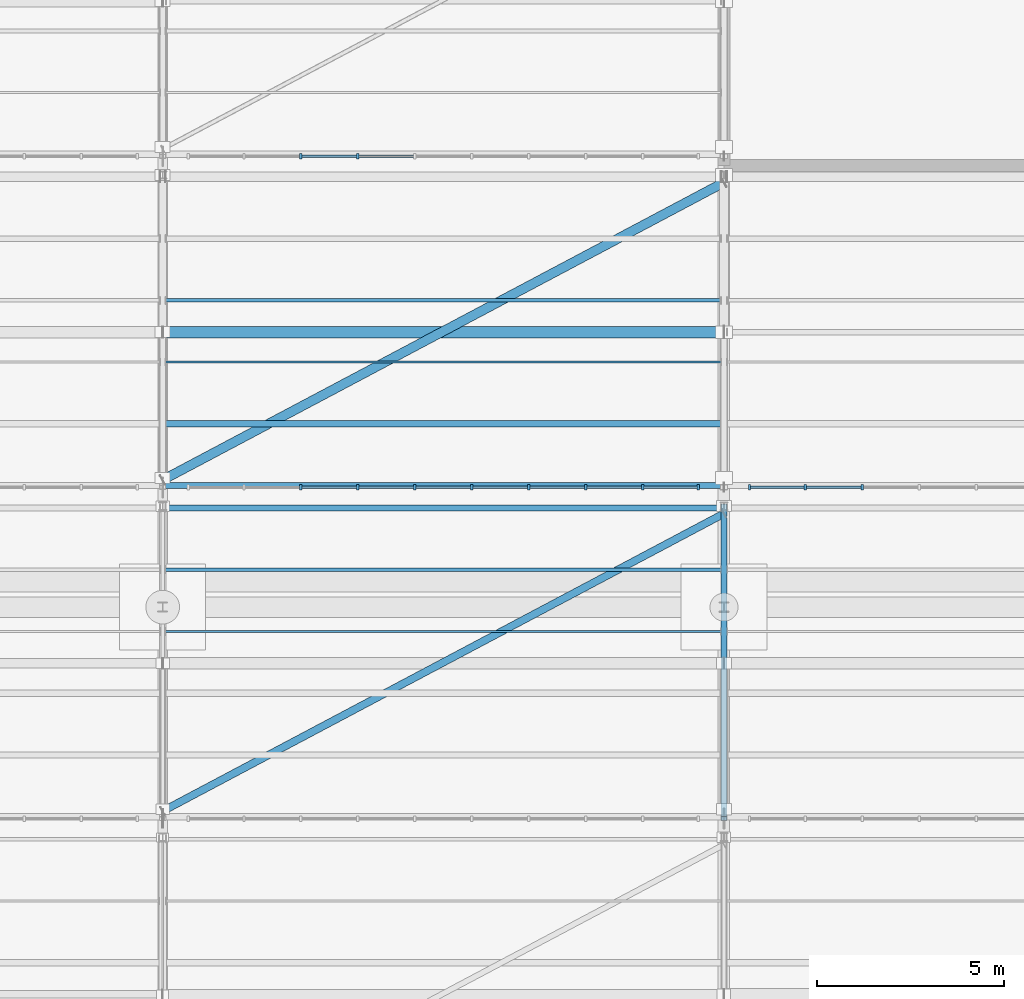
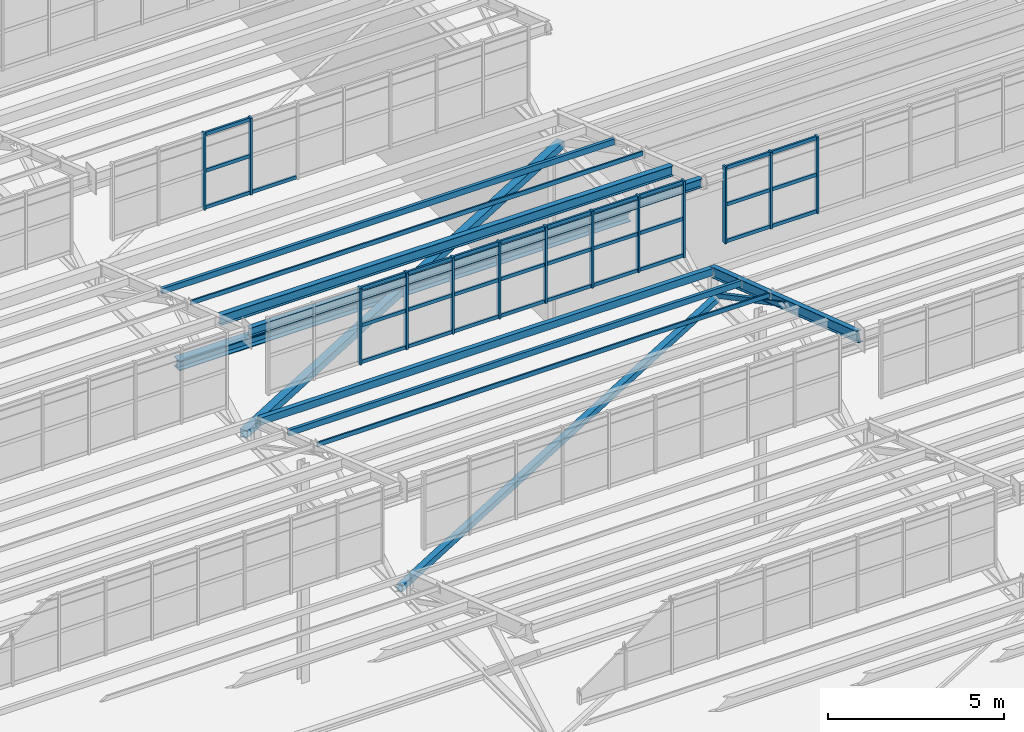
# One storey, part 74 of 285: 48 members, 8 beams, 3 elements without a shape of their own.
"""IFC4 building model written with IfcOpenShell, lengths in metres."""

from ifc_helpers import new_model, si_unit, direction, frame, origin, origin_2d, place, context, subcontext, project, spatial, rectangle, hollow_rectangle, i_section, extrude, material, material_profile, profile_set, type_object, element, aggregate, save


model = new_model("IFC4")

# Units and contexts
model_context = context("Model", 3, precision=1e-05, world=origin(), true_north=direction((0.0, 1.0)))
body_context = subcontext(model_context, "Body", "Model", "MODEL_VIEW")
ifc_project = project(units=[si_unit("LENGTHUNIT", "METRE"), si_unit("AREAUNIT", "SQUARE_METRE"), si_unit("VOLUMEUNIT", "CUBIC_METRE"), si_unit("PLANEANGLEUNIT", "RADIAN"), si_unit("MASSUNIT", "GRAM", prefix="KILO")], contexts=[model_context])

# Site, building, storey
site_placement = place(None, origin())
site = spatial("IfcSite", under=ifc_project, at=site_placement, CompositionType="ELEMENT")
building_placement = place(site_placement, origin())
building = spatial("IfcBuilding", under=site, at=building_placement, Name="Solanera Park Tramway Depot", CompositionType="ELEMENT")
storey_placement = place(building_placement, origin())
storey = spatial("IfcBuildingStorey", under=building, at=storey_placement, Name="L00", CompositionType="ELEMENT", Elevation=0.0)

# Curtain wall, members
ifc_material_1 = material(Name="Bronze-anodised thermally broken aluminium curtain wall", Category="aluminium")
curtain_wall_type = type_object("IfcCurtainWallType", Name="Sawtooth Clerestory Monitor Curtain Wall", PredefinedType="NOTDEFINED", material=ifc_material_1)
curtain_wall_1_placement = place(storey_placement, origin())
curtain_wall_1 = element("IfcCurtainWall", 1, at=curtain_wall_1_placement, inside=storey, type_object=curtain_wall_type, Name="L00 Sawtooth Clerestory Monitor Curtain Wall #054", PredefinedType="NOTDEFINED")
ifc_material_2 = material(Name="Bronze-anodised structural aluminium 6063-T6", Category="aluminium")
ifc_material_profile_1 = material_profile(ifc_material_2, rectangle(XDim=0.06494140625, YDim=0.14990234375, at=origin_2d()), Name="Curtain Wall Mullion 65x150")
ifc_profile_set_1 = profile_set([ifc_material_profile_1], Name="Bronze-anodised structural aluminium 6063-T6")
member_type_1 = type_object("IfcMemberType", Name="Curtain Wall Mullion 65x150", PredefinedType="MULLION", material=ifc_profile_set_1)
member_1_placement = place(storey_placement, frame((48.6943359375, 117.699951171875, 7.75), z_axis=(0.0, 0.0, 1.0), x_axis=(1.0, 0.0, 0.0)))
member_1 = element("IfcMember", 2, at=member_1_placement, type_object=member_type_1, Name="CW-L00-054 Mullion 3", PredefinedType="MULLION", context=body_context, shape_type="SweptSolid", body=[
    extrude(rectangle(XDim=0.06494140625, YDim=0.14990234375, at=origin_2d()), origin(), (0.0, 0.0, 1.0), 2.6611328125),
])
member_2_placement = place(storey_placement, frame((50.216796875, 117.699951171875, 7.75), z_axis=(0.0, 0.0, 1.0), x_axis=(1.0, 0.0, 0.0)))
member_2 = element("IfcMember", 3, at=member_2_placement, type_object=member_type_1, Name="CW-L00-054 Mullion 4", PredefinedType="MULLION", context=body_context, shape_type="SweptSolid", body=[
    extrude(rectangle(XDim=0.06494140625, YDim=0.14990234375, at=origin_2d()), origin(), (0.0, 0.0, 1.0), 2.6611328125),
])
member_3_placement = place(storey_placement, frame((51.739013671875, 117.699951171875, 7.75), z_axis=(0.0, 0.0, 1.0), x_axis=(1.0, 0.0, 0.0)))
member_3 = element("IfcMember", 4, at=member_3_placement, type_object=member_type_1, Name="CW-L00-054 Mullion 5", PredefinedType="MULLION", context=body_context, shape_type="SweptSolid", body=[
    extrude(rectangle(XDim=0.06494140625, YDim=0.14990234375, at=origin_2d()), origin(), (0.0, 0.0, 1.0), 2.6611328125),
])
member_4_placement = place(storey_placement, frame((53.260986328125, 117.699951171875, 7.75), z_axis=(0.0, 0.0, 1.0), x_axis=(1.0, 0.0, 0.0)))
member_4 = element("IfcMember", 5, at=member_4_placement, type_object=member_type_1, Name="CW-L00-054 Mullion 6", PredefinedType="MULLION", context=body_context, shape_type="SweptSolid", body=[
    extrude(rectangle(XDim=0.06494140625, YDim=0.14990234375, at=origin_2d()), origin(), (0.0, 0.0, 1.0), 2.6611328125),
])
member_5_placement = place(storey_placement, frame((54.783203125, 117.699951171875, 7.75), z_axis=(0.0, 0.0, 1.0), x_axis=(1.0, 0.0, 0.0)))
member_5 = element("IfcMember", 6, at=member_5_placement, type_object=member_type_1, Name="CW-L00-054 Mullion 7", PredefinedType="MULLION", context=body_context, shape_type="SweptSolid", body=[
    extrude(rectangle(XDim=0.06494140625, YDim=0.14990234375, at=origin_2d()), origin(), (0.0, 0.0, 1.0), 2.6611328125),
])
member_6_placement = place(storey_placement, frame((56.3056640625, 117.699951171875, 7.75), z_axis=(0.0, 0.0, 1.0), x_axis=(1.0, 0.0, 0.0)))
member_6 = element("IfcMember", 7, at=member_6_placement, type_object=member_type_1, Name="CW-L00-054 Mullion 8", PredefinedType="MULLION", context=body_context, shape_type="SweptSolid", body=[
    extrude(rectangle(XDim=0.06494140625, YDim=0.14990234375, at=origin_2d()), origin(), (0.0, 0.0, 1.0), 2.6611328125),
])
member_7_placement = place(storey_placement, frame((57.827880859375, 117.699951171875, 7.75), z_axis=(0.0, 0.0, 1.0), x_axis=(1.0, 0.0, 0.0)))
member_7 = element("IfcMember", 8, at=member_7_placement, type_object=member_type_1, Name="CW-L00-054 Mullion 9", PredefinedType="MULLION", context=body_context, shape_type="SweptSolid", body=[
    extrude(rectangle(XDim=0.06494140625, YDim=0.14990234375, at=origin_2d()), origin(), (0.0, 0.0, 1.0), 2.6611328125),
])
member_8_placement = place(storey_placement, frame((59.3173828125, 117.699951171875, 7.75), z_axis=(0.0, 0.0, 1.0), x_axis=(1.0, 0.0, 0.0)))
member_8 = element("IfcMember", 9, at=member_8_placement, type_object=member_type_1, Name="CW-L00-054 Mullion 10", PredefinedType="MULLION", context=body_context, shape_type="SweptSolid", body=[
    extrude(rectangle(XDim=0.06494140625, YDim=0.14990234375, at=origin_2d()), origin(), (0.0, 0.0, 1.0), 2.6611328125),
])

curtain_wall_2_placement = place(storey_placement, origin())
curtain_wall_2 = element("IfcCurtainWall", 10, at=curtain_wall_2_placement, inside=storey, type_object=curtain_wall_type, Name="L00 Sawtooth Clerestory Monitor Curtain Wall #055", PredefinedType="NOTDEFINED")
member_9_placement = place(storey_placement, frame((60.6826171875, 117.699951171875, 7.75), z_axis=(0.0, 0.0, 1.0), x_axis=(1.0, 0.0, 0.0)))
member_9 = element("IfcMember", 11, at=member_9_placement, type_object=member_type_1, Name="CW-L00-055 Mullion 1", PredefinedType="MULLION", context=body_context, shape_type="SweptSolid", body=[
    extrude(rectangle(XDim=0.06494140625, YDim=0.14990234375, at=origin_2d()), origin(), (0.0, 0.0, 1.0), 2.6611328125),
])
member_10_placement = place(storey_placement, frame((62.172119140625, 117.699951171875, 7.75), z_axis=(0.0, 0.0, 1.0), x_axis=(1.0, 0.0, 0.0)))
member_10 = element("IfcMember", 12, at=member_10_placement, type_object=member_type_1, Name="CW-L00-055 Mullion 2", PredefinedType="MULLION", context=body_context, shape_type="SweptSolid", body=[
    extrude(rectangle(XDim=0.06494140625, YDim=0.14990234375, at=origin_2d()), origin(), (0.0, 0.0, 1.0), 2.6611328125),
])
member_11_placement = place(storey_placement, frame((63.6943359375, 117.699951171875, 7.75), z_axis=(0.0, 0.0, 1.0), x_axis=(1.0, 0.0, 0.0)))
member_11 = element("IfcMember", 13, at=member_11_placement, type_object=member_type_1, Name="CW-L00-055 Mullion 3", PredefinedType="MULLION", context=body_context, shape_type="SweptSolid", body=[
    extrude(rectangle(XDim=0.06494140625, YDim=0.14990234375, at=origin_2d()), origin(), (0.0, 0.0, 1.0), 2.6611328125),
])

curtain_wall_3_placement = place(storey_placement, origin())
curtain_wall_3 = element("IfcCurtainWall", 14, at=curtain_wall_3_placement, inside=storey, type_object=curtain_wall_type, Name="L00 Sawtooth Clerestory Monitor Curtain Wall #062", PredefinedType="NOTDEFINED")
member_12_placement = place(storey_placement, frame((48.6943359375, 126.550048828125, 7.75), z_axis=(0.0, 0.0, 1.0), x_axis=(1.0, 0.0, 0.0)))
member_12 = element("IfcMember", 15, at=member_12_placement, type_object=member_type_1, Name="CW-L00-062 Mullion 3", PredefinedType="MULLION", context=body_context, shape_type="SweptSolid", body=[
    extrude(rectangle(XDim=0.06494140625, YDim=0.14990234375, at=origin_2d()), origin(), (0.0, 0.0, 1.0), 2.6611328125),
])
member_13_placement = place(storey_placement, frame((50.216796875, 126.550048828125, 7.75), z_axis=(0.0, 0.0, 1.0), x_axis=(1.0, 0.0, 0.0)))
member_13 = element("IfcMember", 16, at=member_13_placement, type_object=member_type_1, Name="CW-L00-062 Mullion 4", PredefinedType="MULLION", context=body_context, shape_type="SweptSolid", body=[
    extrude(rectangle(XDim=0.06494140625, YDim=0.14990234375, at=origin_2d()), origin(), (0.0, 0.0, 1.0), 2.6611328125),
])

# Member
ifc_material_3 = material(Name="Bronze-anodised structural aluminium 6063-T6", Category="aluminium")
ifc_material_profile_2 = material_profile(ifc_material_3, rectangle(XDim=0.06494140625, YDim=0.1201171875, at=origin_2d()), Name="Curtain Wall Transom 65x120")
ifc_profile_set_2 = profile_set([ifc_material_profile_2], Name="Bronze-anodised structural aluminium 6063-T6")
member_type_2 = type_object("IfcMemberType", Name="Curtain Wall Transom 65x120", PredefinedType="USERDEFINED", material=ifc_profile_set_2)
member_14_placement = place(storey_placement, frame((48.722412109375, 117.699951171875, 7.81005859375), z_axis=(1.0, 0.0, 0.0), x_axis=(0.0, 1.0, 0.0)))
member_14 = element("IfcMember", 17, at=member_14_placement, type_object=member_type_2, Name="CW-L00-054 Transom R1.C3", ObjectType="TRANSOM", PredefinedType="USERDEFINED", context=body_context, shape_type="SweptSolid", body=[
    extrude(rectangle(XDim=0.06494140625, YDim=0.1201171875, at=origin_2d()), origin(), (0.0, 0.0, 1.0), 1.46630859375),
])

member_15_placement = place(storey_placement, frame((50.24462890625, 117.699951171875, 7.81005859375), z_axis=(1.0, 0.0, 0.0), x_axis=(0.0, 1.0, 0.0)))
member_15 = element("IfcMember", 18, at=member_15_placement, type_object=member_type_2, Name="CW-L00-054 Transom R1.C4", ObjectType="TRANSOM", PredefinedType="USERDEFINED", context=body_context, shape_type="SweptSolid", body=[
    extrude(rectangle(XDim=0.06494140625, YDim=0.1201171875, at=origin_2d()), origin(), (0.0, 0.0, 1.0), 1.46630859375),
])

member_16_placement = place(storey_placement, frame((51.766845703125, 117.699951171875, 7.81005859375), z_axis=(1.0, 0.0, 0.0), x_axis=(0.0, 1.0, 0.0)))
member_16 = element("IfcMember", 19, at=member_16_placement, type_object=member_type_2, Name="CW-L00-054 Transom R1.C5", ObjectType="TRANSOM", PredefinedType="USERDEFINED", context=body_context, shape_type="SweptSolid", body=[
    extrude(rectangle(XDim=0.06494140625, YDim=0.1201171875, at=origin_2d()), origin(), (0.0, 0.0, 1.0), 1.46630859375),
])

member_17_placement = place(storey_placement, frame((53.2890625, 117.699951171875, 7.81005859375), z_axis=(1.0, 0.0, 0.0), x_axis=(0.0, 1.0, 0.0)))
member_17 = element("IfcMember", 20, at=member_17_placement, type_object=member_type_2, Name="CW-L00-054 Transom R1.C6", ObjectType="TRANSOM", PredefinedType="USERDEFINED", context=body_context, shape_type="SweptSolid", body=[
    extrude(rectangle(XDim=0.06494140625, YDim=0.1201171875, at=origin_2d()), origin(), (0.0, 0.0, 1.0), 1.46630859375),
])

member_18_placement = place(storey_placement, frame((54.811279296875, 117.699951171875, 7.81005859375), z_axis=(1.0, 0.0, 0.0), x_axis=(0.0, 1.0, 0.0)))
member_18 = element("IfcMember", 21, at=member_18_placement, type_object=member_type_2, Name="CW-L00-054 Transom R1.C7", ObjectType="TRANSOM", PredefinedType="USERDEFINED", context=body_context, shape_type="SweptSolid", body=[
    extrude(rectangle(XDim=0.06494140625, YDim=0.1201171875, at=origin_2d()), origin(), (0.0, 0.0, 1.0), 1.46630859375),
])

member_19_placement = place(storey_placement, frame((56.33349609375, 117.699951171875, 7.81005859375), z_axis=(1.0, 0.0, 0.0), x_axis=(0.0, 1.0, 0.0)))
member_19 = element("IfcMember", 22, at=member_19_placement, type_object=member_type_2, Name="CW-L00-054 Transom R1.C8", ObjectType="TRANSOM", PredefinedType="USERDEFINED", context=body_context, shape_type="SweptSolid", body=[
    extrude(rectangle(XDim=0.06494140625, YDim=0.1201171875, at=origin_2d()), origin(), (0.0, 0.0, 1.0), 1.46630859375),
])

member_20_placement = place(storey_placement, frame((57.855712890625, 117.699951171875, 7.81005859375), z_axis=(1.0, 0.0, 0.0), x_axis=(0.0, 1.0, 0.0)))
member_20 = element("IfcMember", 23, at=member_20_placement, type_object=member_type_2, Name="CW-L00-054 Transom R1.C9", ObjectType="TRANSOM", PredefinedType="USERDEFINED", context=body_context, shape_type="SweptSolid", body=[
    extrude(rectangle(XDim=0.06494140625, YDim=0.1201171875, at=origin_2d()), origin(), (0.0, 0.0, 1.0), 1.433837890625),
])

member_21_placement = place(storey_placement, frame((48.722412109375, 117.699951171875, 9.08056640625), z_axis=(1.0, 0.0, 0.0), x_axis=(0.0, 1.0, 0.0)))
member_21 = element("IfcMember", 24, at=member_21_placement, type_object=member_type_2, Name="CW-L00-054 Transom R2.C3", ObjectType="TRANSOM", PredefinedType="USERDEFINED", context=body_context, shape_type="SweptSolid", body=[
    extrude(rectangle(XDim=0.06494140625, YDim=0.1201171875, at=origin_2d()), origin(), (0.0, 0.0, 1.0), 1.46630859375),
])

member_22_placement = place(storey_placement, frame((50.24462890625, 117.699951171875, 9.08056640625), z_axis=(1.0, 0.0, 0.0), x_axis=(0.0, 1.0, 0.0)))
member_22 = element("IfcMember", 25, at=member_22_placement, type_object=member_type_2, Name="CW-L00-054 Transom R2.C4", ObjectType="TRANSOM", PredefinedType="USERDEFINED", context=body_context, shape_type="SweptSolid", body=[
    extrude(rectangle(XDim=0.06494140625, YDim=0.1201171875, at=origin_2d()), origin(), (0.0, 0.0, 1.0), 1.46630859375),
])

member_23_placement = place(storey_placement, frame((51.766845703125, 117.699951171875, 9.08056640625), z_axis=(1.0, 0.0, 0.0), x_axis=(0.0, 1.0, 0.0)))
member_23 = element("IfcMember", 26, at=member_23_placement, type_object=member_type_2, Name="CW-L00-054 Transom R2.C5", ObjectType="TRANSOM", PredefinedType="USERDEFINED", context=body_context, shape_type="SweptSolid", body=[
    extrude(rectangle(XDim=0.06494140625, YDim=0.1201171875, at=origin_2d()), origin(), (0.0, 0.0, 1.0), 1.46630859375),
])

member_24_placement = place(storey_placement, frame((53.2890625, 117.699951171875, 9.08056640625), z_axis=(1.0, 0.0, 0.0), x_axis=(0.0, 1.0, 0.0)))
member_24 = element("IfcMember", 27, at=member_24_placement, type_object=member_type_2, Name="CW-L00-054 Transom R2.C6", ObjectType="TRANSOM", PredefinedType="USERDEFINED", context=body_context, shape_type="SweptSolid", body=[
    extrude(rectangle(XDim=0.06494140625, YDim=0.1201171875, at=origin_2d()), origin(), (0.0, 0.0, 1.0), 1.46630859375),
])

member_25_placement = place(storey_placement, frame((54.811279296875, 117.699951171875, 9.08056640625), z_axis=(1.0, 0.0, 0.0), x_axis=(0.0, 1.0, 0.0)))
member_25 = element("IfcMember", 28, at=member_25_placement, type_object=member_type_2, Name="CW-L00-054 Transom R2.C7", ObjectType="TRANSOM", PredefinedType="USERDEFINED", context=body_context, shape_type="SweptSolid", body=[
    extrude(rectangle(XDim=0.06494140625, YDim=0.1201171875, at=origin_2d()), origin(), (0.0, 0.0, 1.0), 1.46630859375),
])

member_26_placement = place(storey_placement, frame((56.33349609375, 117.699951171875, 9.08056640625), z_axis=(1.0, 0.0, 0.0), x_axis=(0.0, 1.0, 0.0)))
member_26 = element("IfcMember", 29, at=member_26_placement, type_object=member_type_2, Name="CW-L00-054 Transom R2.C8", ObjectType="TRANSOM", PredefinedType="USERDEFINED", context=body_context, shape_type="SweptSolid", body=[
    extrude(rectangle(XDim=0.06494140625, YDim=0.1201171875, at=origin_2d()), origin(), (0.0, 0.0, 1.0), 1.46630859375),
])

member_27_placement = place(storey_placement, frame((57.855712890625, 117.699951171875, 9.08056640625), z_axis=(1.0, 0.0, 0.0), x_axis=(0.0, 1.0, 0.0)))
member_27 = element("IfcMember", 30, at=member_27_placement, type_object=member_type_2, Name="CW-L00-054 Transom R2.C9", ObjectType="TRANSOM", PredefinedType="USERDEFINED", context=body_context, shape_type="SweptSolid", body=[
    extrude(rectangle(XDim=0.06494140625, YDim=0.1201171875, at=origin_2d()), origin(), (0.0, 0.0, 1.0), 1.433837890625),
])

member_28_placement = place(storey_placement, frame((48.722412109375, 117.699951171875, 10.351318359375), z_axis=(1.0, 0.0, 0.0), x_axis=(0.0, 1.0, 0.0)))
member_28 = element("IfcMember", 31, at=member_28_placement, type_object=member_type_2, Name="CW-L00-054 Transom R3.C3", ObjectType="TRANSOM", PredefinedType="USERDEFINED", context=body_context, shape_type="SweptSolid", body=[
    extrude(rectangle(XDim=0.06494140625, YDim=0.1201171875, at=origin_2d()), origin(), (0.0, 0.0, 1.0), 1.46630859375),
])

member_29_placement = place(storey_placement, frame((50.24462890625, 117.699951171875, 10.351318359375), z_axis=(1.0, 0.0, 0.0), x_axis=(0.0, 1.0, 0.0)))
member_29 = element("IfcMember", 32, at=member_29_placement, type_object=member_type_2, Name="CW-L00-054 Transom R3.C4", ObjectType="TRANSOM", PredefinedType="USERDEFINED", context=body_context, shape_type="SweptSolid", body=[
    extrude(rectangle(XDim=0.06494140625, YDim=0.1201171875, at=origin_2d()), origin(), (0.0, 0.0, 1.0), 1.46630859375),
])

member_30_placement = place(storey_placement, frame((51.766845703125, 117.699951171875, 10.351318359375), z_axis=(1.0, 0.0, 0.0), x_axis=(0.0, 1.0, 0.0)))
member_30 = element("IfcMember", 33, at=member_30_placement, type_object=member_type_2, Name="CW-L00-054 Transom R3.C5", ObjectType="TRANSOM", PredefinedType="USERDEFINED", context=body_context, shape_type="SweptSolid", body=[
    extrude(rectangle(XDim=0.06494140625, YDim=0.1201171875, at=origin_2d()), origin(), (0.0, 0.0, 1.0), 1.46630859375),
])

member_31_placement = place(storey_placement, frame((53.2890625, 117.699951171875, 10.351318359375), z_axis=(1.0, 0.0, 0.0), x_axis=(0.0, 1.0, 0.0)))
member_31 = element("IfcMember", 34, at=member_31_placement, type_object=member_type_2, Name="CW-L00-054 Transom R3.C6", ObjectType="TRANSOM", PredefinedType="USERDEFINED", context=body_context, shape_type="SweptSolid", body=[
    extrude(rectangle(XDim=0.06494140625, YDim=0.1201171875, at=origin_2d()), origin(), (0.0, 0.0, 1.0), 1.46630859375),
])

member_32_placement = place(storey_placement, frame((54.811279296875, 117.699951171875, 10.351318359375), z_axis=(1.0, 0.0, 0.0), x_axis=(0.0, 1.0, 0.0)))
member_32 = element("IfcMember", 35, at=member_32_placement, type_object=member_type_2, Name="CW-L00-054 Transom R3.C7", ObjectType="TRANSOM", PredefinedType="USERDEFINED", context=body_context, shape_type="SweptSolid", body=[
    extrude(rectangle(XDim=0.06494140625, YDim=0.1201171875, at=origin_2d()), origin(), (0.0, 0.0, 1.0), 1.46630859375),
])

member_33_placement = place(storey_placement, frame((56.33349609375, 117.699951171875, 10.351318359375), z_axis=(1.0, 0.0, 0.0), x_axis=(0.0, 1.0, 0.0)))
member_33 = element("IfcMember", 36, at=member_33_placement, type_object=member_type_2, Name="CW-L00-054 Transom R3.C8", ObjectType="TRANSOM", PredefinedType="USERDEFINED", context=body_context, shape_type="SweptSolid", body=[
    extrude(rectangle(XDim=0.06494140625, YDim=0.1201171875, at=origin_2d()), origin(), (0.0, 0.0, 1.0), 1.46630859375),
])

member_34_placement = place(storey_placement, frame((57.855712890625, 117.699951171875, 10.351318359375), z_axis=(1.0, 0.0, 0.0), x_axis=(0.0, 1.0, 0.0)))
member_34 = element("IfcMember", 37, at=member_34_placement, type_object=member_type_2, Name="CW-L00-054 Transom R3.C9", ObjectType="TRANSOM", PredefinedType="USERDEFINED", context=body_context, shape_type="SweptSolid", body=[
    extrude(rectangle(XDim=0.06494140625, YDim=0.1201171875, at=origin_2d()), origin(), (0.0, 0.0, 1.0), 1.433837890625),
])

aggregate(curtain_wall_1, [member_1, member_2, member_3, member_4, member_5, member_6, member_7, member_8, member_14, member_15, member_16, member_17, member_18, member_19, member_20, member_21, member_22, member_23, member_24, member_25, member_26, member_27, member_28, member_29, member_30, member_31, member_32, member_33, member_34])

member_35_placement = place(storey_placement, frame((60.71044921875, 117.699951171875, 7.81005859375), z_axis=(1.0, 0.0, 0.0), x_axis=(0.0, 1.0, 0.0)))
member_35 = element("IfcMember", 38, at=member_35_placement, type_object=member_type_2, Name="CW-L00-055 Transom R1.C1", ObjectType="TRANSOM", PredefinedType="USERDEFINED", context=body_context, shape_type="SweptSolid", body=[
    extrude(rectangle(XDim=0.06494140625, YDim=0.1201171875, at=origin_2d()), origin(), (0.0, 0.0, 1.0), 1.433837890625),
])

member_36_placement = place(storey_placement, frame((62.2001953125, 117.699951171875, 7.81005859375), z_axis=(1.0, 0.0, 0.0), x_axis=(0.0, 1.0, 0.0)))
member_36 = element("IfcMember", 39, at=member_36_placement, type_object=member_type_2, Name="CW-L00-055 Transom R1.C2", ObjectType="TRANSOM", PredefinedType="USERDEFINED", context=body_context, shape_type="SweptSolid", body=[
    extrude(rectangle(XDim=0.06494140625, YDim=0.1201171875, at=origin_2d()), origin(), (0.0, 0.0, 1.0), 1.46630859375),
])

member_37_placement = place(storey_placement, frame((60.71044921875, 117.699951171875, 9.08056640625), z_axis=(1.0, 0.0, 0.0), x_axis=(0.0, 1.0, 0.0)))
member_37 = element("IfcMember", 40, at=member_37_placement, type_object=member_type_2, Name="CW-L00-055 Transom R2.C1", ObjectType="TRANSOM", PredefinedType="USERDEFINED", context=body_context, shape_type="SweptSolid", body=[
    extrude(rectangle(XDim=0.06494140625, YDim=0.1201171875, at=origin_2d()), origin(), (0.0, 0.0, 1.0), 1.433837890625),
])

member_38_placement = place(storey_placement, frame((62.2001953125, 117.699951171875, 9.08056640625), z_axis=(1.0, 0.0, 0.0), x_axis=(0.0, 1.0, 0.0)))
member_38 = element("IfcMember", 41, at=member_38_placement, type_object=member_type_2, Name="CW-L00-055 Transom R2.C2", ObjectType="TRANSOM", PredefinedType="USERDEFINED", context=body_context, shape_type="SweptSolid", body=[
    extrude(rectangle(XDim=0.06494140625, YDim=0.1201171875, at=origin_2d()), origin(), (0.0, 0.0, 1.0), 1.46630859375),
])

member_39_placement = place(storey_placement, frame((60.71044921875, 117.699951171875, 10.351318359375), z_axis=(1.0, 0.0, 0.0), x_axis=(0.0, 1.0, 0.0)))
member_39 = element("IfcMember", 42, at=member_39_placement, type_object=member_type_2, Name="CW-L00-055 Transom R3.C1", ObjectType="TRANSOM", PredefinedType="USERDEFINED", context=body_context, shape_type="SweptSolid", body=[
    extrude(rectangle(XDim=0.06494140625, YDim=0.1201171875, at=origin_2d()), origin(), (0.0, 0.0, 1.0), 1.433837890625),
])

member_40_placement = place(storey_placement, frame((62.2001953125, 117.699951171875, 10.351318359375), z_axis=(1.0, 0.0, 0.0), x_axis=(0.0, 1.0, 0.0)))
member_40 = element("IfcMember", 43, at=member_40_placement, type_object=member_type_2, Name="CW-L00-055 Transom R3.C2", ObjectType="TRANSOM", PredefinedType="USERDEFINED", context=body_context, shape_type="SweptSolid", body=[
    extrude(rectangle(XDim=0.06494140625, YDim=0.1201171875, at=origin_2d()), origin(), (0.0, 0.0, 1.0), 1.46630859375),
])

aggregate(curtain_wall_2, [member_9, member_10, member_11, member_35, member_36, member_37, member_38, member_39, member_40])

member_41_placement = place(storey_placement, frame((48.722412109375, 126.550048828125, 7.81005859375), z_axis=(1.0, 0.0, 0.0), x_axis=(0.0, 1.0, 0.0)))
member_41 = element("IfcMember", 44, at=member_41_placement, type_object=member_type_2, Name="CW-L00-062 Transom R1.C3", ObjectType="TRANSOM", PredefinedType="USERDEFINED", context=body_context, shape_type="SweptSolid", body=[
    extrude(rectangle(XDim=0.06494140625, YDim=0.1201171875, at=origin_2d()), origin(), (0.0, 0.0, 1.0), 1.46630859375),
])

member_42_placement = place(storey_placement, frame((50.24462890625, 126.550048828125, 7.81005859375), z_axis=(1.0, 0.0, 0.0), x_axis=(0.0, 1.0, 0.0)))
member_42 = element("IfcMember", 45, at=member_42_placement, type_object=member_type_2, Name="CW-L00-062 Transom R1.C4", ObjectType="TRANSOM", PredefinedType="USERDEFINED", context=body_context, shape_type="SweptSolid", body=[
    extrude(rectangle(XDim=0.06494140625, YDim=0.1201171875, at=origin_2d()), origin(), (0.0, 0.0, 1.0), 1.46630859375),
])

member_43_placement = place(storey_placement, frame((48.722412109375, 126.550048828125, 9.08056640625), z_axis=(1.0, 0.0, 0.0), x_axis=(0.0, 1.0, 0.0)))
member_43 = element("IfcMember", 46, at=member_43_placement, type_object=member_type_2, Name="CW-L00-062 Transom R2.C3", ObjectType="TRANSOM", PredefinedType="USERDEFINED", context=body_context, shape_type="SweptSolid", body=[
    extrude(rectangle(XDim=0.06494140625, YDim=0.1201171875, at=origin_2d()), origin(), (0.0, 0.0, 1.0), 1.46630859375),
])

member_44_placement = place(storey_placement, frame((48.722412109375, 126.550048828125, 10.351318359375), z_axis=(1.0, 0.0, 0.0), x_axis=(0.0, 1.0, 0.0)))
member_44 = element("IfcMember", 47, at=member_44_placement, type_object=member_type_2, Name="CW-L00-062 Transom R3.C3", ObjectType="TRANSOM", PredefinedType="USERDEFINED", context=body_context, shape_type="SweptSolid", body=[
    extrude(rectangle(XDim=0.06494140625, YDim=0.1201171875, at=origin_2d()), origin(), (0.0, 0.0, 1.0), 1.46630859375),
])

aggregate(curtain_wall_3, [member_12, member_13, member_41, member_42, member_43, member_44])

ifc_material_4 = material(Name="Steel AS/NZS 3679.1 Grade 350", Category="steel")
ifc_material_profile_3 = material_profile(ifc_material_4, i_section(OverallWidth=0.310546875, OverallDepth=0.3271484375, WebThickness=0.015625, FlangeThickness=0.02490234375, at=origin_2d()), Name="310UC158")
ifc_profile_set_3 = profile_set([ifc_material_profile_3], Name="Steel AS/NZS 3679.1 Grade 350")
member_type_3 = type_object("IfcMemberType", Name="Secondary Truss Chord 310UC158", PredefinedType="CHORD", material=ifc_profile_set_3)
member_45_placement = place(storey_placement, frame((45.087890625, 121.85009765625, 6.5), z_axis=(1.0, 0.0, 0.0), x_axis=(0.0, 1.0, 0.0)))
element("IfcMember", 48, at=member_45_placement, inside=storey, type_object=member_type_3, Name="Sawtooth Longitudinal Tie Chord 310UC158 #0357", PredefinedType="CHORD", context=body_context, shape_type="SweptSolid", body=[
    extrude(i_section(OverallWidth=0.310546875, OverallDepth=0.3271484375, WebThickness=0.015625, FlangeThickness=0.02490234375, at=origin_2d()), origin(), (0.0, 0.0, 1.0), 14.82421875),
])

# Beams
ifc_material_5 = material(Name="Steel AS/NZS 3679.1 Grade 350", Category="steel")
ifc_material_profile_4 = material_profile(ifc_material_5, i_section(OverallWidth=0.17138671875, OverallDepth=0.355712890625, WebThickness=0.00732421875, FlangeThickness=0.011474609375, at=origin_2d()), Name="360UB50.7")
ifc_profile_set_4 = profile_set([ifc_material_profile_4], Name="Steel AS/NZS 3679.1 Grade 350")
beam_type_1 = type_object("IfcBeamType", Name="Steel Beam 360UB50.7", PredefinedType="BEAM", material=ifc_profile_set_4)
beam_1_placement = place(storey_placement, frame((60.0, 108.85009765625, 10.10693359375), z_axis=(0.0, 0.948319437663, -0.317317261034), x_axis=(-1.0, 0.0, 0.0)))
element("IfcBeam", 49, at=beam_1_placement, inside=storey, type_object=beam_type_1, Name="Sawtooth ROOF TRUSS Top Rafter 360UB50.7 B07-T5", PredefinedType="BEAM", context=body_context, shape_type="SweptSolid", body=[
    extrude(i_section(OverallWidth=0.17138671875, OverallDepth=0.355712890625, WebThickness=0.00732421875, FlangeThickness=0.011474609375, at=origin_2d()), origin(), (0.0, 0.0, 1.0), 8.804931640625),
])
ifc_material_6 = material(Name="Steel AS/NZS 1163 Grade C350L0", Category="steel")
ifc_material_profile_5 = material_profile(ifc_material_6, hollow_rectangle(XDim=0.050048828125, YDim=0.14990234375, WallThickness=0.0048828125, at=origin_2d()), Name="150x50x5.0 RHS")
ifc_profile_set_5 = profile_set([ifc_material_profile_5], Name="Steel AS/NZS 1163 Grade C350L0")
beam_type_2 = type_object("IfcBeamType", Name="Steel Joist Purlin 150x50x5.0 RHS", PredefinedType="JOIST", material=ifc_profile_set_5)
beam_2_placement = place(storey_placement, frame((45.074951171875, 113.85009765625, 8.550537109375), z_axis=(1.0, 0.0, 0.0), x_axis=(0.0, 1.0, 0.0)))
element("IfcBeam", 50, at=beam_2_placement, inside=storey, type_object=beam_type_2, Name="Sawtooth Roof Purlin 150x50x5.0 RHS B07.4", PredefinedType="JOIST", context=body_context, shape_type="SweptSolid", body=[
    extrude(hollow_rectangle(XDim=0.050048828125, YDim=0.14990234375, WallThickness=0.0048828125, at=origin_2d()), origin(), (0.0, 0.0, 1.0), 14.84716796875),
])
beam_3_placement = place(storey_placement, frame((45.077880859375, 121.050048828125, 9.1025390625), z_axis=(1.0, 0.0, 0.0), x_axis=(0.0, 1.0, 0.0)))
element("IfcBeam", 51, at=beam_3_placement, inside=storey, type_object=beam_type_2, Name="Sawtooth Roof Purlin 150x50x5.0 RHS B08.3", PredefinedType="JOIST", context=body_context, shape_type="SweptSolid", body=[
    extrude(hollow_rectangle(XDim=0.050048828125, YDim=0.14990234375, WallThickness=0.0048828125, at=origin_2d()), origin(), (0.0, 0.0, 1.0), 14.84130859375),
])
ifc_material_7 = material(Name="Steel AS/NZS 1163 Grade C350L0", Category="steel")
ifc_material_profile_6 = material_profile(ifc_material_7, hollow_rectangle(XDim=0.10009765625, YDim=0.199951171875, WallThickness=0.006103515625, at=origin_2d()), Name="200x100x6.0 RHS")
ifc_profile_set_6 = profile_set([ifc_material_profile_6], Name="Steel AS/NZS 1163 Grade C350L0")
beam_type_3 = type_object("IfcBeamType", Name="Steel Joist Purlin 200x100x6.0 RHS", PredefinedType="JOIST", material=ifc_profile_set_6)
beam_4_placement = place(storey_placement, frame((45.074951171875, 115.5, 7.965087890625), z_axis=(1.0, 0.0, 0.0), x_axis=(0.0, 1.0, 0.0)))
element("IfcBeam", 52, at=beam_4_placement, inside=storey, type_object=beam_type_3, Name="Sawtooth Roof Purlin 200x100x6.0 RHS B07.5", PredefinedType="JOIST", context=body_context, shape_type="SweptSolid", body=[
    extrude(hollow_rectangle(XDim=0.10009765625, YDim=0.199951171875, WallThickness=0.006103515625, at=origin_2d()), origin(), (0.0, 0.0, 1.0), 14.84716796875),
])
beam_5_placement = place(storey_placement, frame((45.077880859375, 122.699951171875, 8.51708984375), z_axis=(1.0, 0.0, 0.0), x_axis=(0.0, 1.0, 0.0)))
element("IfcBeam", 53, at=beam_5_placement, inside=storey, type_object=beam_type_3, Name="Sawtooth Roof Purlin 200x100x6.0 RHS B08.4", PredefinedType="JOIST", context=body_context, shape_type="SweptSolid", body=[
    extrude(hollow_rectangle(XDim=0.10009765625, YDim=0.199951171875, WallThickness=0.006103515625, at=origin_2d()), origin(), (0.0, 0.0, 1.0), 14.84130859375),
])
ifc_material_8 = material(Name="Steel AS/NZS 1163 Grade C350L0", Category="steel")
ifc_material_profile_7 = material_profile(ifc_material_8, hollow_rectangle(XDim=0.14990234375, YDim=0.25, WallThickness=0.008056640625, at=origin_2d()), Name="250x150x8.0 RHS")
ifc_profile_set_7 = profile_set([ifc_material_profile_7], Name="Steel AS/NZS 1163 Grade C350L0")
beam_type_4 = type_object("IfcBeamType", Name="Steel Joist Purlin 250x150x8.0 RHS", PredefinedType="JOIST", material=ifc_profile_set_7)
beam_6_placement = place(storey_placement, frame((45.074951171875, 117.14990234375, 7.379638671875), z_axis=(1.0, 0.0, 0.0), x_axis=(0.0, 1.0, 0.0)))
element("IfcBeam", 54, at=beam_6_placement, inside=storey, type_object=beam_type_4, Name="Sawtooth Roof Purlin 250x150x8.0 RHS B07.6", PredefinedType="JOIST", context=body_context, shape_type="SweptSolid", body=[
    extrude(hollow_rectangle(XDim=0.14990234375, YDim=0.25, WallThickness=0.008056640625, at=origin_2d()), origin(), (0.0, 0.0, 1.0), 14.84716796875),
])
ifc_material_9 = material(Name="Steel AS/NZS 3679.1 Grade 350", Category="steel")
ifc_material_profile_8 = material_profile(ifc_material_9, i_section(OverallWidth=0.166015625, OverallDepth=0.30712890625, WebThickness=0.006591796875, FlangeThickness=0.01171875, at=origin_2d()), Name="310UB46.2")
ifc_profile_set_8 = profile_set([ifc_material_profile_8], Name="Steel AS/NZS 3679.1 Grade 350")
beam_type_5 = type_object("IfcBeamType", Name="Steel Joist Purlin 310UB46.2", PredefinedType="JOIST", material=ifc_profile_set_8)
beam_7_placement = place(storey_placement, frame((45.077880859375, 117.75, 10.108642578125), z_axis=(1.0, 0.0, 0.0), x_axis=(0.0, 1.0, 0.0)))
element("IfcBeam", 55, at=beam_7_placement, inside=storey, type_object=beam_type_5, Name="Sawtooth Roof Purlin 310UB46.2 B08.1", PredefinedType="JOIST", context=body_context, shape_type="SweptSolid", body=[
    extrude(i_section(OverallWidth=0.166015625, OverallDepth=0.30712890625, WebThickness=0.006591796875, FlangeThickness=0.01171875, at=origin_2d()), origin(), (0.0, 0.0, 1.0), 14.84130859375),
])
ifc_material_10 = material(Name="Steel AS/NZS 3679.1 Grade 350", Category="steel")
ifc_material_profile_9 = material_profile(ifc_material_10, i_section(OverallWidth=0.17138671875, OverallDepth=0.355712890625, WebThickness=0.00732421875, FlangeThickness=0.011474609375, at=origin_2d()), Name="360UB50.7")
ifc_profile_set_9 = profile_set([ifc_material_profile_9], Name="Steel AS/NZS 3679.1 Grade 350")
beam_type_6 = type_object("IfcBeamType", Name="Steel Joist Purlin 360UB50.7", PredefinedType="JOIST", material=ifc_profile_set_9)
beam_8_placement = place(storey_placement, frame((45.077880859375, 119.39990234375, 9.531494140625), z_axis=(1.0, 0.0, 0.0), x_axis=(0.0, 1.0, 0.0)))
element("IfcBeam", 56, at=beam_8_placement, inside=storey, type_object=beam_type_6, Name="Sawtooth Roof Purlin 360UB50.7 B08.2", PredefinedType="JOIST", context=body_context, shape_type="SweptSolid", body=[
    extrude(i_section(OverallWidth=0.17138671875, OverallDepth=0.355712890625, WebThickness=0.00732421875, FlangeThickness=0.011474609375, at=origin_2d()), origin(), (0.0, 0.0, 1.0), 14.84130859375),
])

# Members
ifc_material_11 = material(Name="Steel AS/NZS 1163 Grade C350L0", Category="steel")
ifc_material_profile_10 = material_profile(ifc_material_11, hollow_rectangle(XDim=0.14990234375, YDim=0.14990234375, WallThickness=0.006103515625, at=origin_2d()), Name="150x150x6.0 SHS")
ifc_profile_set_10 = profile_set([ifc_material_profile_10], Name="Steel AS/NZS 1163 Grade C350L0")
member_type_4 = type_object("IfcMemberType", Name="Truss and Frame Brace 150x150x6.0 SHS", PredefinedType="BRACE", material=ifc_profile_set_10)
member_46_placement = place(storey_placement, frame((60.0, 117.199951171875, 6.5), z_axis=(0.0, -0.884222622593, 0.467065684561), x_axis=(1.0, 0.0, 0.0)))
element("IfcMember", 57, at=member_46_placement, inside=storey, type_object=member_type_4, Name="Sawtooth ROOF TRUSS Diagonal 150x150x6.0 SHS #0286", PredefinedType="BRACE", context=body_context, shape_type="SweptSolid", body=[
    extrude(hollow_rectangle(XDim=0.14990234375, YDim=0.14990234375, WallThickness=0.006103515625, at=origin_2d()), origin(), (0.0, 0.0, 1.0), 4.75),
])
ifc_material_12 = material(Name="Steel AS/NZS 1163 Grade C350L0", Category="steel")
ifc_material_profile_11 = material_profile(ifc_material_12, hollow_rectangle(XDim=0.199951171875, YDim=0.199951171875, WallThickness=0.008056640625, at=origin_2d()), Name="200x200x8.0 SHS")
ifc_profile_set_11 = profile_set([ifc_material_profile_11], Name="Steel AS/NZS 1163 Grade C350L0")
member_type_5 = type_object("IfcMemberType", Name="Truss and Frame Brace 200x200x8.0 SHS", PredefinedType="BRACE", material=ifc_profile_set_11)
member_47_placement = place(storey_placement, frame((45.001953125, 109.050048828125, 6.5), z_axis=(0.883523615038, 0.468386615598, 0.0), x_axis=(-0.468386615598, 0.883523615038, 0.0)))
element("IfcMember", 58, at=member_47_placement, inside=storey, type_object=member_type_5, Name="Roof Plane Cyclonic Brace 200x200x8.0 SHS #0311", PredefinedType="BRACE", context=body_context, shape_type="SweptSolid", body=[
    extrude(hollow_rectangle(XDim=0.199951171875, YDim=0.199951171875, WallThickness=0.008056640625, at=origin_2d()), origin(), (0.0, 0.0, 1.0), 16.97314453125),
])
ifc_material_13 = material(Name="Steel AS/NZS 1163 Grade C350L0", Category="steel")
ifc_material_profile_12 = material_profile(ifc_material_13, hollow_rectangle(XDim=0.25, YDim=0.25, WallThickness=0.010009765625, at=origin_2d()), Name="250x250x10.0 SHS")
ifc_profile_set_12 = profile_set([ifc_material_profile_12], Name="Steel AS/NZS 1163 Grade C350L0")
member_type_6 = type_object("IfcMemberType", Name="Truss and Frame Brace 250x250x10.0 SHS", PredefinedType="BRACE", material=ifc_profile_set_12)
member_48_placement = place(storey_placement, frame((45.001953125, 117.89990234375, 6.5), z_axis=(0.883517662461, 0.468397843846, 0.0), x_axis=(-0.468397843846, 0.883517662461, 0.0)))
element("IfcMember", 59, at=member_48_placement, inside=storey, type_object=member_type_6, Name="Roof Plane Cyclonic Brace 250x250x10.0 SHS #0358", PredefinedType="BRACE", context=body_context, shape_type="SweptSolid", body=[
    extrude(hollow_rectangle(XDim=0.25, YDim=0.25, WallThickness=0.010009765625, at=origin_2d()), origin(), (0.0, 0.0, 1.0), 16.97314453125),
])

save(model, "model.ifc")
